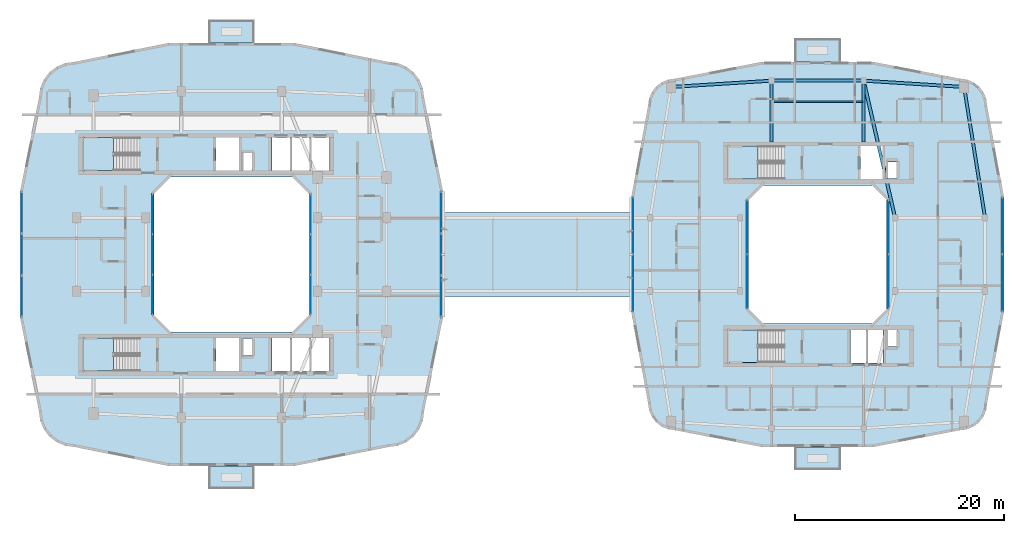
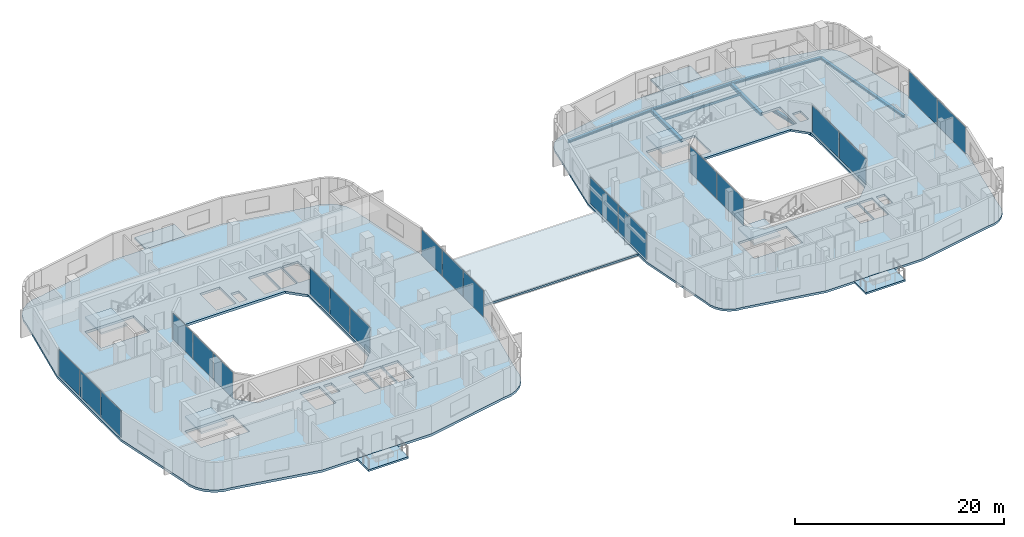
# One storey, part 7 of 22: 20 plates, 11 slabs, 8 beams, 12 elements without a shape of their own.
"""IFC4 building model written with IfcOpenShell, lengths in metres."""

import ifcopenshell
import ifcopenshell.guid

model = None  # the IFC model being written
_history = None  # IfcOwnerHistory: only IFC2X3 demands one
_inside = {}  # id of a spatial element -> (the spatial element, [elements in it])
_under = {}  # id of a project, library or spatial element -> (it, [spatial elements below it])
_declared = {}  # id of a project -> (the project, [libraries it declares])
_typed = {}  # id of a type object -> (the type object, [elements of that type])
_made_of = {}  # id of a material, layer set ... -> (it, [elements and type objects made of it])


def new_model(schema):
    """Start an empty IFC model of exactly this schema.

    Asked for "IFC4X3", IfcOpenShell would pick the latest addendum, in which some entities
    have other attributes; the version numbers below select the first issue.
    IFC2X3 requires an IfcOwnerHistory on every rooted entity: one is made here for all.
    """
    global model, _history
    if schema == "IFC4X3":
        model = ifcopenshell.file(schema_version=(4, 3, 0, 0))
    else:
        model = ifcopenshell.file(schema=schema)
    _inside.clear()
    _under.clear()
    _declared.clear()
    _typed.clear()
    _made_of.clear()
    _history = None
    if model.schema == "IFC2X3":
        org = make("IfcOrganization", Name="unknown")
        user = make(
            "IfcPersonAndOrganization",
            ThePerson=make("IfcPerson", FamilyName="unknown"),
            TheOrganization=org,
        )
        app = make(
            "IfcApplication",
            ApplicationDeveloper=org,
            Version="unknown",
            ApplicationFullName="unknown",
            ApplicationIdentifier="unknown",
        )
        _history = make(
            "IfcOwnerHistory",
            OwningUser=user,
            OwningApplication=app,
            ChangeAction="ADDED",
            CreationDate=0,
        )
    return model


def make(cls, **values):
    """One entity of the class cls with the attributes given. An attribute that is None is left unset."""
    return model.create_entity(
        cls, **{name: value for name, value in values.items() if value is not None}
    )


def rooted(cls, **values):
    """An entity with a GlobalId (a new one), such as an element, a storey or a relation."""
    return make(cls, GlobalId=ifcopenshell.guid.new(), OwnerHistory=_history, **values)


def si_unit(unit_type, name, prefix=None):
    """IfcSIUnit, for example si_unit("LENGTHUNIT", "METRE", prefix="MILLI")."""
    return make("IfcSIUnit", UnitType=unit_type, Prefix=prefix, Name=name)


def derived_unit(unit_type, elements):
    """IfcDerivedUnit: a product of units, each with its exponent."""
    return make(
        "IfcDerivedUnit",
        Elements=[
            make("IfcDerivedUnitElement", Unit=unit, Exponent=power)
            for unit, power in elements
        ],
        UnitType=unit_type,
    )


def assignment(units):
    """IfcUnitAssignment: the units of a project."""
    return None if units is None else make("IfcUnitAssignment", Units=units)


def point(xyz):
    """IfcCartesianPoint."""
    return None if xyz is None else make("IfcCartesianPoint", Coordinates=xyz)


def direction(xyz):
    """IfcDirection."""
    return None if xyz is None else make("IfcDirection", DirectionRatios=xyz)


def frame(location, z_axis=None, x_axis=None):
    """IfcAxis2Placement3D, a coordinate frame: its origin and axes. An axis left out is left unset."""
    return make(
        "IfcAxis2Placement3D",
        Location=point(location),
        Axis=direction(z_axis),
        RefDirection=direction(x_axis),
    )


def frame_2d(location, x_axis=None):
    """IfcAxis2Placement2D, a coordinate frame in the plane: its origin and x axis."""
    return make(
        "IfcAxis2Placement2D", Location=point(location), RefDirection=direction(x_axis)
    )


def origin():
    """The frame at (0, 0, 0) with its axes left unset."""
    return frame((0.0, 0.0, 0.0))


def origin_2d():
    """The frame at (0, 0) in the plane with its x axis left unset."""
    return frame_2d((0.0, 0.0))


def place(relative_to, where):
    """IfcLocalPlacement: puts the frame where relative to a parent placement (None: the world)."""
    return make(
        "IfcLocalPlacement", PlacementRelTo=relative_to, RelativePlacement=where
    )


def context(
    kind, dimensions, precision=None, world=None, true_north=None, identifier=None
):
    """IfcGeometricRepresentationContext, for example the 3D "Model" context."""
    return make(
        "IfcGeometricRepresentationContext",
        ContextIdentifier=identifier,
        ContextType=kind,
        CoordinateSpaceDimension=dimensions,
        Precision=precision,
        WorldCoordinateSystem=world,
        TrueNorth=true_north,
    )


def subcontext(parent, identifier, kind, view, scale=None):
    """IfcGeometricRepresentationSubContext, for example "Body" below "Model"."""
    return make(
        "IfcGeometricRepresentationSubContext",
        ContextIdentifier=identifier,
        ContextType=kind,
        ParentContext=parent,
        TargetScale=scale,
        TargetView=view,
    )


def project(units=None, contexts=None):
    """IfcProject with its units and contexts."""
    return rooted(
        "IfcProject",
        Name="project",
        RepresentationContexts=contexts,
        UnitsInContext=assignment(units),
    )


def spatial(cls, under=None, at=None, **own):
    """A site, building, storey or space (cls), placed at a placement, below another one or the project."""
    s = rooted(cls, ObjectPlacement=at, **own)
    if under is not None:
        _under.setdefault(under.id(), (under, []))[1].append(s)
    return s


def polyline(points):
    """IfcPolyline through the points."""
    return make("IfcPolyline", Points=[point(p) for p in points])


def profile(cls, at=None, kind="AREA", **sizes):
    """A parametric profile (cls). Its sizes go by their IFC names, for example OverallWidth=200.0."""
    return make(cls, ProfileType=kind, Position=at, **sizes)


def rectangle(**sizes):
    """IfcRectangleProfileDef."""
    return profile("IfcRectangleProfileDef", **sizes)


def i_section(**sizes):
    """IfcIShapeProfileDef."""
    return profile("IfcIShapeProfileDef", **sizes)


def outline(outer, holes=None, kind="AREA"):
    """IfcArbitraryClosedProfileDef: a profile drawn as a closed curve; with holes, ...WithVoids."""
    if holes is None:
        return make("IfcArbitraryClosedProfileDef", ProfileType=kind, OuterCurve=outer)
    return make(
        "IfcArbitraryProfileDefWithVoids",
        ProfileType=kind,
        OuterCurve=outer,
        InnerCurves=holes,
    )


def extrude(swept, where, along, depth):
    """IfcExtrudedAreaSolid: the profile swept, set in the frame where, extruded along a direction by depth."""
    return make(
        "IfcExtrudedAreaSolid",
        SweptArea=swept,
        Position=where,
        ExtrudedDirection=direction(along),
        Depth=depth,
    )


def shape(context_of_items, identifier, shape_type, items):
    """IfcShapeRepresentation: the items that make up one representation, for example the "Body"."""
    return make(
        "IfcShapeRepresentation",
        ContextOfItems=context_of_items,
        RepresentationIdentifier=identifier,
        RepresentationType=shape_type,
        Items=items,
    )


def material(Name=None, Category=None):
    """IfcMaterial."""
    return make("IfcMaterial", Name=Name, Category=Category)


def layer(
    of_material, thickness, ventilated=None, Name=None, Category=None, Priority=None
):
    """IfcMaterialLayer: one layer of a wall or slab, of a material (None: an air gap)."""
    return make(
        "IfcMaterialLayer",
        Material=of_material,
        LayerThickness=thickness,
        IsVentilated=ventilated,
        Name=Name,
        Category=Category,
        Priority=Priority,
    )


def layer_set(layers, Name=None):
    """IfcMaterialLayerSet."""
    return make("IfcMaterialLayerSet", MaterialLayers=layers, LayerSetName=Name)


def material_profile(
    of_material, cross_section, Name=None, Category=None, Priority=None
):
    """IfcMaterialProfile: a cross section and its material."""
    return make(
        "IfcMaterialProfile",
        Name=Name,
        Material=of_material,
        Profile=cross_section,
        Priority=Priority,
        Category=Category,
    )


def profile_set(profiles, Name=None, composite=None):
    """IfcMaterialProfileSet."""
    return make(
        "IfcMaterialProfileSet",
        Name=Name,
        MaterialProfiles=profiles,
        CompositeProfile=composite,
    )


def made_of(thing, what):
    """Note that an element or type object is made of a material, layer set ...; save() writes the relation."""
    if what is not None:
        _made_of.setdefault(what.id(), (what, []))[1].append(thing)
    return thing


def type_object(cls, material=None, **own):
    """A type object (cls), such as IfcWallType, which elements share."""
    return made_of(rooted(cls, **own), material)


def element(
    cls,
    number,
    at=None,
    inside=None,
    cuts=None,
    type_object=None,
    material=None,
    context=None,
    identifier="Body",
    shape_type=None,
    held_by="IfcProductDefinitionShape",
    body=None,
    shapes=None,
    **own,
):
    """One element of the class cls, such as IfcWall. Its Tag is "e" and its number.

    at: its placement. inside: the storey or other place that contains it. cuts: it is an
    opening in that element (IfcRelVoidsElement). A single representation is given by context,
    identifier, shape_type and body (its items); several are given by shapes. held_by: the class
    of the entity that holds the representations. save() writes the other relations.
    """
    e = rooted(cls, Tag="e%d" % number, ObjectPlacement=at, **own)
    if body is not None:
        shapes = [shape(context, identifier, shape_type, body)]
    if shapes is not None:
        e.Representation = make(held_by, Representations=shapes)
    if inside is not None:
        _inside.setdefault(inside.id(), (inside, []))[1].append(e)
    if cuts is not None:
        rooted(
            "IfcRelVoidsElement", RelatingBuildingElement=cuts, RelatedOpeningElement=e
        )
    if type_object is not None:
        _typed.setdefault(type_object.id(), (type_object, []))[1].append(e)
    return made_of(e, material)


def aggregate(whole, parts):
    """IfcRelAggregates: a whole, such as a stair, and the parts it consists of."""
    return rooted("IfcRelAggregates", RelatingObject=whole, RelatedObjects=parts)


def save(model, path):
    """Write the relations noted so far, then the file.

    IfcRelAggregates (storeys below a building ...), IfcRelContainedInSpatialStructure (elements
    in a storey), IfcRelDefinesByType, IfcRelAssociatesMaterial and IfcRelDeclares: one each for
    every whole, place, type object, material and project.
    """
    for whole, parts in _under.values():
        aggregate(whole, parts)
    for where, things in _inside.values():
        rooted(
            "IfcRelContainedInSpatialStructure",
            RelatedElements=things,
            RelatingStructure=where,
        )
    for kind, things in _typed.values():
        rooted("IfcRelDefinesByType", RelatedObjects=things, RelatingType=kind)
    for what, things in _made_of.values():
        rooted("IfcRelAssociatesMaterial", RelatedObjects=things, RelatingMaterial=what)
    for by, libraries in _declared.values():
        rooted("IfcRelDeclares", RelatingContext=by, RelatedDefinitions=libraries)
    model.write(path)


model = new_model("IFC4")

# Units and contexts
model_context = context("Model", 3, precision=1e-05, world=origin(), true_north=direction((0.0, 1.0)))
body_context = subcontext(model_context, "Body", "Model", "MODEL_VIEW")
ifc_project = project(units=[si_unit("LENGTHUNIT", "METRE"), si_unit("AREAUNIT", "SQUARE_METRE"), si_unit("VOLUMEUNIT", "CUBIC_METRE"), si_unit("PLANEANGLEUNIT", "RADIAN"), si_unit("MASSUNIT", "GRAM", prefix="KILO"), derived_unit("THERMALTRANSMITTANCEUNIT", [(si_unit("POWERUNIT", "WATT"), 1), (si_unit("LENGTHUNIT", "METRE"), -2), (si_unit("THERMODYNAMICTEMPERATUREUNIT", "KELVIN"), -1)])], contexts=[model_context])

# Site, building, storey
site_placement = place(None, origin())
site = spatial("IfcSite", under=ifc_project, at=site_placement, CompositionType="ELEMENT")
building_placement = place(site_placement, origin())
building = spatial("IfcBuilding", under=site, at=building_placement, Name="Kivonza Crest Hotel", CompositionType="ELEMENT")
storey_placement = place(building_placement, frame((0.0, 0.0, 124.0)))
storey = spatial("IfcBuildingStorey", under=building, at=storey_placement, Name="L33", CompositionType="ELEMENT", Elevation=124.0)

# Beams
ifc_material_1 = material(Name="Steel S355", Category="steel")
ifc_material_profile_1 = material_profile(ifc_material_1, i_section(OverallWidth=0.280029296875, OverallDepth=0.280029296875, WebThickness=0.010498046875, FlangeThickness=0.01806640625, FilletRadius=0.02392578125, at=origin_2d()), Name="HEB 280")
ifc_profile_set_1 = profile_set([ifc_material_profile_1], Name="Steel S355")
beam_type_1 = type_object("IfcBeamType", Name="BM-HEB280", PredefinedType="SPANDREL", material=ifc_profile_set_1)
beam_1_placement = place(storey_placement, frame((93.0, 28.5, -0.389892578125), z_axis=(-0.157990501107, 0.987440631917, 0.0), x_axis=(-0.987440631917, -0.157990501107, 0.0)))
element("IfcBeam", 1, at=beam_1_placement, inside=storey, type_object=beam_type_1, Name="Companion Tower T2 L33 perimeter spandrel E2-NE", PredefinedType="SPANDREL", context=body_context, shape_type="SweptSolid", body=[
    extrude(i_section(OverallWidth=0.280029296875, OverallDepth=0.280029296875, WebThickness=0.010498046875, FlangeThickness=0.01806640625, FilletRadius=0.02392578125, at=origin_2d()), origin(), (0.0, 0.0, 1.0), 12.658935546875),
])
beam_2_placement = place(storey_placement, frame((91.0, 41.0, -0.389892578125), z_axis=(-0.998051985873, 0.062387767186, 0.0), x_axis=(-0.062387767186, -0.998051985873, 0.0)))
element("IfcBeam", 2, at=beam_2_placement, inside=storey, type_object=beam_type_1, Name="Companion Tower T2 L33 perimeter spandrel NE-N2", PredefinedType="SPANDREL", context=body_context, shape_type="SweptSolid", body=[
    extrude(i_section(OverallWidth=0.280029296875, OverallDepth=0.280029296875, WebThickness=0.010498046875, FlangeThickness=0.01806640625, FilletRadius=0.02392578125, at=origin_2d()), origin(), (0.0, 0.0, 1.0), 9.618896484375),
])
beam_3_placement = place(storey_placement, frame((81.39990234375, 41.60009765625, -0.389892578125), z_axis=(-1.0, 0.0, 0.0), x_axis=(0.0, -1.0, 0.0)))
element("IfcBeam", 3, at=beam_3_placement, inside=storey, type_object=beam_type_1, Name="Companion Tower T2 L33 perimeter spandrel N2-N1", PredefinedType="SPANDREL", context=body_context, shape_type="SweptSolid", body=[
    extrude(i_section(OverallWidth=0.280029296875, OverallDepth=0.280029296875, WebThickness=0.010498046875, FlangeThickness=0.01806640625, FilletRadius=0.02392578125, at=origin_2d()), origin(), (0.0, 0.0, 1.0), 8.7998046875),
])
beam_4_placement = place(storey_placement, frame((72.60009765625, 41.60009765625, -0.389892578125), z_axis=(-0.998051985873, -0.062387767186, 0.0), x_axis=(0.062387767186, -0.998051985873, 0.0)))
element("IfcBeam", 4, at=beam_4_placement, inside=storey, type_object=beam_type_1, Name="Companion Tower T2 L33 perimeter spandrel N1-NW", PredefinedType="SPANDREL", context=body_context, shape_type="SweptSolid", body=[
    extrude(i_section(OverallWidth=0.280029296875, OverallDepth=0.280029296875, WebThickness=0.010498046875, FlangeThickness=0.01806640625, FilletRadius=0.02392578125, at=origin_2d()), origin(), (0.0, 0.0, 1.0), 9.618896484375),
])
ifc_material_profile_2 = material_profile(ifc_material_1, i_section(OverallWidth=0.300048828125, OverallDepth=0.39990234375, WebThickness=0.013427734375, FlangeThickness=0.02392578125, FilletRadius=0.027099609375, at=origin_2d()), Name="HEB 400")
ifc_profile_set_2 = profile_set([ifc_material_profile_2], Name="Steel S355")
beam_type_2 = type_object("IfcBeamType", Name="BM-HEB400", PredefinedType="BEAM", material=ifc_profile_set_2)
beam_5_placement = place(storey_placement, frame((84.39990234375, 28.5, -0.449951171875), z_axis=(-0.223227287589, 0.974766422317, 0.0), x_axis=(-0.974766422317, -0.223227287589, 0.0)))
element("IfcBeam", 5, at=beam_5_placement, inside=storey, type_object=beam_type_2, Name="Companion Tower T2 L33 girder WR2-N2", PredefinedType="BEAM", context=body_context, shape_type="SweptSolid", body=[
    extrude(i_section(OverallWidth=0.300048828125, OverallDepth=0.39990234375, WebThickness=0.013427734375, FlangeThickness=0.02392578125, FilletRadius=0.027099609375, at=origin_2d()), origin(), (0.0, 0.0, 1.0), 13.439208984375),
])
for number, where, z_axis, x_axis, name in (
    (6, (72.60009765625, 41.60009765625, -0.449951171875), (0.0, -1.0, 0.0), (1.0, 0.0, 0.0), "Companion T2 L33 radial core girder RN1"),
    (7, (81.39990234375, 41.60009765625, -0.449951171875), (0.0, -1.0, 0.0), (1.0, 0.0, 0.0), "Companion T2 L33 radial core girder RN2"),
):
    element("IfcBeam", number, at=place(storey_placement, frame(where, z_axis=z_axis, x_axis=x_axis)), inside=storey, type_object=beam_type_2, Name=name, PredefinedType="BEAM", context=body_context, shape_type="SweptSolid", body=[
        extrude(i_section(OverallWidth=0.300048828125, OverallDepth=0.39990234375, WebThickness=0.013427734375, FlangeThickness=0.02392578125, FilletRadius=0.027099609375, at=origin_2d()), origin(), (0.0, 0.0, 1.0), 5.85009765625),
    ])
ifc_material_profile_3 = material_profile(ifc_material_1, i_section(OverallWidth=0.135009765625, OverallDepth=0.27001953125, WebThickness=0.006591796875, FlangeThickness=0.01025390625, FilletRadius=0.014892578125, at=origin_2d()), Name="IPE 270")
ifc_profile_set_3 = profile_set([ifc_material_profile_3], Name="Steel S355")
beam_type_3 = type_object("IfcBeamType", Name="BM-IPE270", PredefinedType="JOIST", material=ifc_profile_set_3)
beam_6_placement = place(storey_placement, frame((72.679931640625, 39.60009765625, -0.385009765625), z_axis=(1.0, 0.0, 0.0), x_axis=(0.0, 1.0, 0.0)))
element("IfcBeam", 8, at=beam_6_placement, inside=storey, type_object=beam_type_3, Name="Companion Tower T2 L33 North floor joist", PredefinedType="JOIST", context=body_context, shape_type="SweptSolid", body=[
    extrude(i_section(OverallWidth=0.135009765625, OverallDepth=0.27001953125, WebThickness=0.006591796875, FlangeThickness=0.01025390625, FilletRadius=0.014892578125, at=origin_2d()), origin(), (0.0, 0.0, 1.0), 8.64013671875),
])

# Curtain wall, plates
ifc_material_2 = material(Name="Anodised bronze aluminium and low-E double glazing", Category="aluminium")
ifc_layer_1 = layer(ifc_material_2, 0.159912109375)
ifc_layer_set_1 = layer_set([ifc_layer_1], Name="Anodised bronze aluminium and low-E double glazing")
curtain_wall_type_1 = type_object("IfcCurtainWallType", Name="CW-SYS-5", PredefinedType="NOTDEFINED", material=ifc_layer_set_1)
curtain_wall_1_placement = place(storey_placement, origin())
curtain_wall_1 = element("IfcCurtainWall", 9, at=curtain_wall_1_placement, inside=storey, type_object=curtain_wall_type_1, Name="L33 unitised curtain wall CW-WELL-T1-L33-3", PredefinedType="NOTDEFINED")
ifc_material_3 = material(Name="Solar-control low-E double glazing", Category="glass")
ifc_layer_2 = layer(ifc_material_3, 0.028076171875)
ifc_layer_set_2 = layer_set([ifc_layer_2], Name="Solar-control low-E double glazing")
plate_type_1 = type_object("IfcPlateType", Name="CW-PNL-28", PredefinedType="CURTAIN_PANEL", material=ifc_layer_set_2)
plate_1_placement = place(storey_placement, frame((28.56005859375, 21.149658203125, 0.06494140625), z_axis=(0.0, 0.0, 1.0), x_axis=(0.0, 1.0, 0.0)))
plate_1 = element("IfcPlate", 10, at=plate_1_placement, type_object=plate_type_1, Name="CW-5 panel 1.1", PredefinedType="CURTAIN_PANEL", context=body_context, shape_type="SweptSolid", body=[
    extrude(rectangle(XDim=3.769287109375, YDim=0.028076171875, at=origin_2d()), origin(), (0.0, 0.0, 1.0), 3.090087890625),
])
plate_2_placement = place(storey_placement, frame((28.56005859375, 25.0, 0.06494140625), z_axis=(0.0, 0.0, 1.0), x_axis=(0.0, 1.0, 0.0)))
plate_2 = element("IfcPlate", 11, at=plate_2_placement, type_object=plate_type_1, Name="CW-5 panel 2.1", PredefinedType="CURTAIN_PANEL", context=body_context, shape_type="SweptSolid", body=[
    extrude(rectangle(XDim=3.8017578125, YDim=0.028076171875, at=origin_2d()), origin(), (0.0, 0.0, 1.0), 3.090087890625),
])
plate_3_placement = place(storey_placement, frame((28.56005859375, 28.850341796875, 0.06494140625), z_axis=(0.0, 0.0, 1.0), x_axis=(0.0, 1.0, 0.0)))
plate_3 = element("IfcPlate", 12, at=plate_3_placement, type_object=plate_type_1, Name="CW-5 panel 3.1", PredefinedType="CURTAIN_PANEL", context=body_context, shape_type="SweptSolid", body=[
    extrude(rectangle(XDim=3.769287109375, YDim=0.028076171875, at=origin_2d()), origin(), (0.0, 0.0, 1.0), 3.090087890625),
])
aggregate(curtain_wall_1, [plate_1, plate_2, plate_3])

curtain_wall_2_placement = place(storey_placement, origin())
curtain_wall_2 = element("IfcCurtainWall", 13, at=curtain_wall_2_placement, inside=storey, type_object=curtain_wall_type_1, Name="L33 unitised curtain wall CW-WELL-T1-L33-7", PredefinedType="NOTDEFINED")
plate_4_placement = place(storey_placement, frame((13.43994140625, 28.850341796875, 0.06494140625), z_axis=(0.0, 0.0, 1.0), x_axis=(0.0, -1.0, 0.0)))
plate_4 = element("IfcPlate", 14, at=plate_4_placement, type_object=plate_type_1, Name="CW-5 panel 1.1", PredefinedType="CURTAIN_PANEL", context=body_context, shape_type="SweptSolid", body=[
    extrude(rectangle(XDim=3.769287109375, YDim=0.028076171875, at=origin_2d()), origin(), (0.0, 0.0, 1.0), 3.090087890625),
])
plate_5_placement = place(storey_placement, frame((13.43994140625, 25.0, 0.06494140625), z_axis=(0.0, 0.0, 1.0), x_axis=(0.0, -1.0, 0.0)))
plate_5 = element("IfcPlate", 15, at=plate_5_placement, type_object=plate_type_1, Name="CW-5 panel 2.1", PredefinedType="CURTAIN_PANEL", context=body_context, shape_type="SweptSolid", body=[
    extrude(rectangle(XDim=3.8017578125, YDim=0.028076171875, at=origin_2d()), origin(), (0.0, 0.0, 1.0), 3.090087890625),
])
plate_6_placement = place(storey_placement, frame((13.43994140625, 21.149658203125, 0.06494140625), z_axis=(0.0, 0.0, 1.0), x_axis=(0.0, -1.0, 0.0)))
plate_6 = element("IfcPlate", 16, at=plate_6_placement, type_object=plate_type_1, Name="CW-5 panel 3.1", PredefinedType="CURTAIN_PANEL", context=body_context, shape_type="SweptSolid", body=[
    extrude(rectangle(XDim=3.769287109375, YDim=0.028076171875, at=origin_2d()), origin(), (0.0, 0.0, 1.0), 3.090087890625),
])
aggregate(curtain_wall_2, [plate_4, plate_5, plate_6])

ifc_layer_3 = layer(ifc_material_2, 0.179931640625)
ifc_layer_set_3 = layer_set([ifc_layer_3], Name="Anodised bronze aluminium and low-E double glazing")
curtain_wall_type_2 = type_object("IfcCurtainWallType", Name="CW-SYS-4", PredefinedType="NOTDEFINED", material=ifc_layer_set_3)
curtain_wall_3_placement = place(storey_placement, origin())
curtain_wall_3 = element("IfcCurtainWall", 17, at=curtain_wall_3_placement, inside=storey, type_object=curtain_wall_type_2, Name="L33 unitised curtain wall CW-T2-L33-17", PredefinedType="NOTDEFINED")
plate_7_placement = place(storey_placement, frame((94.639892578125, 22.2763671875, 0.06494140625), z_axis=(0.0, 0.0, 1.0), x_axis=(0.0, 1.0, 0.0)))
plate_7 = element("IfcPlate", 18, at=plate_7_placement, type_object=plate_type_1, Name="CW-4 panel 1.1", PredefinedType="CURTAIN_PANEL", context=body_context, shape_type="SweptSolid", body=[
    extrude(rectangle(XDim=5.382568359375, YDim=0.028076171875, at=origin_2d()), origin(), (0.0, 0.0, 1.0), 3.1201171875),
])
plate_8_placement = place(storey_placement, frame((94.639892578125, 27.7236328125, 0.06494140625), z_axis=(0.0, 0.0, 1.0), x_axis=(0.0, 1.0, 0.0)))
plate_8 = element("IfcPlate", 19, at=plate_8_placement, type_object=plate_type_1, Name="CW-4 panel 2.1", PredefinedType="CURTAIN_PANEL", context=body_context, shape_type="SweptSolid", body=[
    extrude(rectangle(XDim=5.382568359375, YDim=0.028076171875, at=origin_2d()), origin(), (0.0, 0.0, 1.0), 3.1201171875),
])
aggregate(curtain_wall_3, [plate_7, plate_8])

curtain_wall_4_placement = place(storey_placement, origin())
curtain_wall_4 = element("IfcCurtainWall", 20, at=curtain_wall_4_placement, inside=storey, type_object=curtain_wall_type_2, Name="L33 unitised curtain wall CW-T2-L33-35", PredefinedType="NOTDEFINED")
plate_9_placement = place(storey_placement, frame((59.360107421875, 27.7236328125, 0.06494140625), z_axis=(0.0, 0.0, 1.0), x_axis=(0.0, -1.0, 0.0)))
plate_9 = element("IfcPlate", 21, at=plate_9_placement, type_object=plate_type_1, Name="CW-4 panel 1.1", PredefinedType="CURTAIN_PANEL", context=body_context, shape_type="SweptSolid", body=[
    extrude(rectangle(XDim=5.382568359375, YDim=0.028076171875, at=origin_2d()), origin(), (0.0, 0.0, 1.0), 3.1201171875),
])
plate_10_placement = place(storey_placement, frame((59.360107421875, 22.2763671875, 0.06494140625), z_axis=(0.0, 0.0, 1.0), x_axis=(0.0, -1.0, 0.0)))
plate_10 = element("IfcPlate", 22, at=plate_10_placement, type_object=plate_type_1, Name="CW-4 panel 2.1", PredefinedType="CURTAIN_PANEL", context=body_context, shape_type="SweptSolid", body=[
    extrude(rectangle(XDim=5.382568359375, YDim=0.028076171875, at=origin_2d()), origin(), (0.0, 0.0, 1.0), 3.1201171875),
])
aggregate(curtain_wall_4, [plate_9, plate_10])

curtain_wall_5_placement = place(storey_placement, origin())
curtain_wall_5 = element("IfcCurtainWall", 23, at=curtain_wall_5_placement, inside=storey, type_object=curtain_wall_type_1, Name="L33 unitised curtain wall CW-WELL-T2-L33-3", PredefinedType="NOTDEFINED")
plate_11_placement = place(storey_placement, frame((83.760009765625, 22.416259765625, 0.06494140625), z_axis=(0.0, 0.0, 1.0), x_axis=(0.0, 1.0, 0.0)))
plate_11 = element("IfcPlate", 24, at=plate_11_placement, type_object=plate_type_1, Name="CW-5 panel 1.1", PredefinedType="CURTAIN_PANEL", context=body_context, shape_type="SweptSolid", body=[
    extrude(rectangle(XDim=5.1025390625, YDim=0.028076171875, at=origin_2d()), origin(), (0.0, 0.0, 1.0), 3.1201171875),
])
plate_12_placement = place(storey_placement, frame((83.760009765625, 27.583740234375, 0.06494140625), z_axis=(0.0, 0.0, 1.0), x_axis=(0.0, 1.0, 0.0)))
plate_12 = element("IfcPlate", 25, at=plate_12_placement, type_object=plate_type_1, Name="CW-5 panel 2.1", PredefinedType="CURTAIN_PANEL", context=body_context, shape_type="SweptSolid", body=[
    extrude(rectangle(XDim=5.1025390625, YDim=0.028076171875, at=origin_2d()), origin(), (0.0, 0.0, 1.0), 3.1201171875),
])
aggregate(curtain_wall_5, [plate_11, plate_12])

curtain_wall_6_placement = place(storey_placement, origin())
curtain_wall_6 = element("IfcCurtainWall", 26, at=curtain_wall_6_placement, inside=storey, type_object=curtain_wall_type_1, Name="L33 unitised curtain wall CW-WELL-T2-L33-7", PredefinedType="NOTDEFINED")
plate_13_placement = place(storey_placement, frame((70.239990234375, 27.583740234375, 0.06494140625), z_axis=(0.0, 0.0, 1.0), x_axis=(0.0, -1.0, 0.0)))
plate_13 = element("IfcPlate", 27, at=plate_13_placement, type_object=plate_type_1, Name="CW-5 panel 1.1", PredefinedType="CURTAIN_PANEL", context=body_context, shape_type="SweptSolid", body=[
    extrude(rectangle(XDim=5.1025390625, YDim=0.028076171875, at=origin_2d()), origin(), (0.0, 0.0, 1.0), 3.1201171875),
])
plate_14_placement = place(storey_placement, frame((70.239990234375, 22.416259765625, 0.06494140625), z_axis=(0.0, 0.0, 1.0), x_axis=(0.0, -1.0, 0.0)))
plate_14 = element("IfcPlate", 28, at=plate_14_placement, type_object=plate_type_1, Name="CW-5 panel 2.1", PredefinedType="CURTAIN_PANEL", context=body_context, shape_type="SweptSolid", body=[
    extrude(rectangle(XDim=5.1025390625, YDim=0.028076171875, at=origin_2d()), origin(), (0.0, 0.0, 1.0), 3.1201171875),
])
aggregate(curtain_wall_6, [plate_13, plate_14])

ifc_layer_4 = layer(ifc_material_2, 0.179931640625)
ifc_layer_set_4 = layer_set([ifc_layer_4], Name="Anodised bronze aluminium and low-E double glazing")
curtain_wall_type_3 = type_object("IfcCurtainWallType", Name="CW-SYS-3", PredefinedType="NOTDEFINED", material=ifc_layer_set_4)
curtain_wall_7_placement = place(storey_placement, origin())
curtain_wall_7 = element("IfcCurtainWall", 29, at=curtain_wall_7_placement, inside=storey, type_object=curtain_wall_type_3, Name="L33 unitised curtain wall CW-T1-L33-17", PredefinedType="NOTDEFINED")
ifc_material_4 = material(Name="Acoustic triple-laminated low-E glazing", Category="glass")
ifc_layer_5 = layer(ifc_material_4, 0.035888671875)
ifc_layer_set_5 = layer_set([ifc_layer_5], Name="Acoustic triple-laminated low-E glazing")
plate_type_2 = type_object("IfcPlateType", Name="CW-PNL-36", PredefinedType="CURTAIN_PANEL", material=ifc_layer_set_5)
plate_15_placement = place(storey_placement, frame((41.0400390625, 21.00537109375, 0.0751953125), z_axis=(0.0, 0.0, 1.0), x_axis=(0.0, 1.0, 0.0)))
plate_15 = element("IfcPlate", 30, at=plate_15_placement, type_object=plate_type_2, Name="CW-3 panel 1.1", PredefinedType="CURTAIN_PANEL", context=body_context, shape_type="SweptSolid", body=[
    extrude(rectangle(XDim=3.90087890625, YDim=0.035888671875, at=origin_2d()), origin(), (0.0, 0.0, 1.0), 3.070068359375),
])
plate_16_placement = place(storey_placement, frame((41.0400390625, 25.0, 0.0751953125), z_axis=(0.0, 0.0, 1.0), x_axis=(0.0, 1.0, 0.0)))
plate_16 = element("IfcPlate", 31, at=plate_16_placement, type_object=plate_type_2, Name="CW-3 panel 2.1", PredefinedType="CURTAIN_PANEL", context=body_context, shape_type="SweptSolid", body=[
    extrude(rectangle(XDim=3.938232421875, YDim=0.035888671875, at=origin_2d()), origin(), (0.0, 0.0, 1.0), 3.070068359375),
])
plate_17_placement = place(storey_placement, frame((41.0400390625, 28.99462890625, 0.0751953125), z_axis=(0.0, 0.0, 1.0), x_axis=(0.0, 1.0, 0.0)))
plate_17 = element("IfcPlate", 32, at=plate_17_placement, type_object=plate_type_2, Name="CW-3 panel 3.1", PredefinedType="CURTAIN_PANEL", context=body_context, shape_type="SweptSolid", body=[
    extrude(rectangle(XDim=3.90087890625, YDim=0.035888671875, at=origin_2d()), origin(), (0.0, 0.0, 1.0), 3.070068359375),
])
aggregate(curtain_wall_7, [plate_15, plate_16, plate_17])

curtain_wall_8_placement = place(storey_placement, origin())
curtain_wall_8 = element("IfcCurtainWall", 33, at=curtain_wall_8_placement, inside=storey, type_object=curtain_wall_type_3, Name="L33 unitised curtain wall CW-T1-L33-35", PredefinedType="NOTDEFINED")
plate_18_placement = place(storey_placement, frame((0.9599609375, 28.99462890625, 0.0751953125), z_axis=(0.0, 0.0, 1.0), x_axis=(0.0, -1.0, 0.0)))
plate_18 = element("IfcPlate", 34, at=plate_18_placement, type_object=plate_type_2, Name="CW-3 panel 1.1", PredefinedType="CURTAIN_PANEL", context=body_context, shape_type="SweptSolid", body=[
    extrude(rectangle(XDim=3.90087890625, YDim=0.035888671875, at=origin_2d()), origin(), (0.0, 0.0, 1.0), 3.070068359375),
])
plate_19_placement = place(storey_placement, frame((0.9599609375, 25.0, 0.0751953125), z_axis=(0.0, 0.0, 1.0), x_axis=(0.0, -1.0, 0.0)))
plate_19 = element("IfcPlate", 35, at=plate_19_placement, type_object=plate_type_2, Name="CW-3 panel 2.1", PredefinedType="CURTAIN_PANEL", context=body_context, shape_type="SweptSolid", body=[
    extrude(rectangle(XDim=3.938232421875, YDim=0.035888671875, at=origin_2d()), origin(), (0.0, 0.0, 1.0), 3.070068359375),
])
plate_20_placement = place(storey_placement, frame((0.9599609375, 21.00537109375, 0.0751953125), z_axis=(0.0, 0.0, 1.0), x_axis=(0.0, -1.0, 0.0)))
plate_20 = element("IfcPlate", 36, at=plate_20_placement, type_object=plate_type_2, Name="CW-3 panel 3.1", PredefinedType="CURTAIN_PANEL", context=body_context, shape_type="SweptSolid", body=[
    extrude(rectangle(XDim=3.90087890625, YDim=0.035888671875, at=origin_2d()), origin(), (0.0, 0.0, 1.0), 3.070068359375),
])
aggregate(curtain_wall_8, [plate_18, plate_19, plate_20])

# Slab
ifc_material_5 = material(Name="Concrete C40/50", Category="concrete")
ifc_layer_6 = layer(ifc_material_5, 0.280029296875)
ifc_layer_set_6 = layer_set([ifc_layer_6], Name="Concrete C40/50")
slab_type_1 = type_object("IfcSlabType", Name="SL-HTL-280", PredefinedType="FLOOR", material=ifc_layer_set_6)
slab_1_placement = place(storey_placement, frame((0.0, 0.0, -0.280029296875)))
element("IfcSlab", 37, at=slab_1_placement, inside=storey, type_object=slab_type_1, Name="Tower T1 L33 floor slab", PredefinedType="FLOOR", context=body_context, shape_type="SweptSolid", body=[
    extrude(outline(polyline([(2.60009765625, 10.0), (2.716064453125, 9.1201171875), (3.055908203125, 8.300048828125), (3.595947265625, 7.595947265625), (4.300048828125, 7.055908203125), (5.1201171875, 6.716064453125), (6.0, 6.60009765625), (14.93994140625, 4.800048828125), (27.06005859375, 4.800048828125), (36.0, 6.60009765625), (36.8798828125, 6.716064453125), (37.699951171875, 7.055908203125), (38.404052734375, 7.595947265625), (38.944091796875, 8.300048828125), (39.283935546875, 9.1201171875), (39.39990234375, 10.0), (41.199951171875, 18.93994140625), (41.199951171875, 31.06005859375), (39.39990234375, 40.0), (39.283935546875, 40.8798828125), (38.944091796875, 41.699951171875), (38.404052734375, 42.404052734375), (37.699951171875, 42.944091796875), (36.8798828125, 43.283935546875), (36.0, 43.39990234375), (27.06005859375, 45.199951171875), (14.93994140625, 45.199951171875), (6.0, 43.39990234375), (5.1201171875, 43.283935546875), (4.300048828125, 42.944091796875), (3.595947265625, 42.404052734375), (3.055908203125, 41.699951171875), (2.716064453125, 40.8798828125), (2.60009765625, 40.0), (0.800048828125, 31.06005859375), (0.800048828125, 18.93994140625), (2.60009765625, 10.0)]), holes=[polyline([(15.199951171875, 17.60009765625), (26.800048828125, 17.60009765625), (28.39990234375, 19.199951171875), (28.39990234375, 30.800048828125), (26.800048828125, 32.39990234375), (15.199951171875, 32.39990234375), (13.60009765625, 30.800048828125), (13.60009765625, 19.199951171875), (15.199951171875, 17.60009765625)]), polyline([(6.800048828125, 33.02001953125), (12.159912109375, 33.02001953125), (12.159912109375, 36.159912109375), (6.800048828125, 36.159912109375), (6.800048828125, 33.02001953125)]), polyline([(6.800048828125, 13.860107421875), (12.159912109375, 13.860107421875), (12.159912109375, 17.0), (6.800048828125, 17.0), (6.800048828125, 13.860107421875)]), polyline([(22.080078125, 33.0400390625), (22.969970703125, 33.0400390625), (22.969970703125, 34.679931640625), (22.080078125, 34.679931640625), (22.080078125, 33.0400390625)]), polyline([(22.080078125, 15.320068359375), (22.969970703125, 15.320068359375), (22.969970703125, 16.9599609375), (22.080078125, 16.9599609375), (22.080078125, 15.320068359375)]), polyline([(19.5, 33.0), (21.699951171875, 33.0), (21.699951171875, 36.159912109375), (19.5, 36.159912109375), (19.5, 33.0)]), polyline([(24.860107421875, 33.0), (26.60693359375, 33.0), (26.60693359375, 36.159912109375), (24.860107421875, 36.159912109375), (24.860107421875, 33.0)]), polyline([(26.72705078125, 33.0), (28.472900390625, 33.0), (28.472900390625, 36.159912109375), (26.72705078125, 36.159912109375), (26.72705078125, 33.0)]), polyline([(28.593017578125, 33.0), (30.340087890625, 33.0), (30.340087890625, 36.159912109375), (28.593017578125, 36.159912109375), (28.593017578125, 33.0)]), polyline([(19.5, 13.840087890625), (21.699951171875, 13.840087890625), (21.699951171875, 17.0), (19.5, 17.0), (19.5, 13.840087890625)]), polyline([(24.860107421875, 13.840087890625), (26.60693359375, 13.840087890625), (26.60693359375, 17.0), (24.860107421875, 17.0), (24.860107421875, 13.840087890625)]), polyline([(26.72705078125, 13.840087890625), (28.472900390625, 13.840087890625), (28.472900390625, 17.0), (26.72705078125, 17.0), (26.72705078125, 13.840087890625)]), polyline([(28.593017578125, 13.840087890625), (30.340087890625, 13.840087890625), (30.340087890625, 17.0), (28.593017578125, 17.0), (28.593017578125, 13.840087890625)])]), origin(), (0.0, 0.0, 1.0), 0.280029296875),
])

# Stair, slab
stair_type = type_object("IfcStairType", Name="ST-DL-20R", PredefinedType="HALF_TURN_STAIR", material=ifc_material_5)
stair_1_placement = place(storey_placement, origin())
stair_1 = element("IfcStair", 38, at=stair_1_placement, inside=storey, type_object=stair_type, Name="L33 Protected Exit Stair ST-T1-N", PredefinedType="HALF_TURN_STAIR")
ifc_layer_7 = layer(ifc_material_5, 0.199951171875)
ifc_layer_set_7 = layer_set([ifc_layer_7], Name="Concrete C40/50")
slab_type_2 = type_object("IfcSlabType", Name="SL-LAND-200", PredefinedType="LANDING", material=ifc_layer_set_7)
slab_2_placement = place(storey_placement, frame((0.0, 0.0, 1.550048828125)))
slab_2 = element("IfcSlab", 39, at=slab_2_placement, type_object=slab_type_2, Name="ST-T1-N landing 1", PredefinedType="LANDING", context=body_context, shape_type="SweptSolid", body=[
    extrude(outline(polyline([(9.719970703125, 36.159912109375), (6.800048828125, 36.159912109375), (6.800048828125, 33.02001953125), (9.719970703125, 33.02001953125), (9.719970703125, 36.159912109375)])), origin(), (0.0, 0.0, 1.0), 0.199951171875),
])
aggregate(stair_1, [slab_2])

stair_2_placement = place(storey_placement, origin())
stair_2 = element("IfcStair", 40, at=stair_2_placement, inside=storey, type_object=stair_type, Name="L33 Protected Exit Stair ST-T1-S", PredefinedType="HALF_TURN_STAIR")
slab_3_placement = place(storey_placement, frame((0.0, 0.0, 1.550048828125)))
slab_3 = element("IfcSlab", 41, at=slab_3_placement, type_object=slab_type_2, Name="ST-T1-S landing 1", PredefinedType="LANDING", context=body_context, shape_type="SweptSolid", body=[
    extrude(outline(polyline([(9.719970703125, 17.0), (6.800048828125, 17.0), (6.800048828125, 13.860107421875), (9.719970703125, 13.860107421875), (9.719970703125, 17.0)])), origin(), (0.0, 0.0, 1.0), 0.199951171875),
])
aggregate(stair_2, [slab_3])

stair_3_placement = place(storey_placement, origin())
stair_3 = element("IfcStair", 42, at=stair_3_placement, inside=storey, type_object=stair_type, Name="L33 Protected Exit Stair ST-T2-N", PredefinedType="HALF_TURN_STAIR")
slab_4_placement = place(storey_placement, frame((0.0, 0.0, 1.550048828125)))
slab_4 = element("IfcSlab", 43, at=slab_4_placement, type_object=slab_type_2, Name="ST-T2-N landing 1", PredefinedType="LANDING", context=body_context, shape_type="SweptSolid", body=[
    extrude(outline(polyline([(71.320068359375, 35.360107421875), (68.39990234375, 35.360107421875), (68.39990234375, 32.219970703125), (71.320068359375, 32.219970703125), (71.320068359375, 35.360107421875)])), origin(), (0.0, 0.0, 1.0), 0.199951171875),
])
aggregate(stair_3, [slab_4])

stair_4_placement = place(storey_placement, origin())
stair_4 = element("IfcStair", 44, at=stair_4_placement, inside=storey, type_object=stair_type, Name="L33 Protected Exit Stair ST-T2-S", PredefinedType="HALF_TURN_STAIR")
slab_5_placement = place(storey_placement, frame((0.0, 0.0, 1.550048828125)))
slab_5 = element("IfcSlab", 45, at=slab_5_placement, type_object=slab_type_2, Name="ST-T2-S landing 1", PredefinedType="LANDING", context=body_context, shape_type="SweptSolid", body=[
    extrude(outline(polyline([(71.320068359375, 17.800048828125), (68.39990234375, 17.800048828125), (68.39990234375, 14.659912109375), (71.320068359375, 14.659912109375), (71.320068359375, 17.800048828125)])), origin(), (0.0, 0.0, 1.0), 0.199951171875),
])
aggregate(stair_4, [slab_5])

# Slabs
ifc_layer_8 = layer(ifc_material_5, 0.2099609375)
ifc_layer_set_8 = layer_set([ifc_layer_8], Name="Concrete C40/50")
slab_type_3 = type_object("IfcSlabType", Name="SL-PAV-210", PredefinedType="ROOF", material=ifc_layer_set_8)
slab_6_placement = place(storey_placement, frame((0.0, 0.0, -0.280029296875)))
element("IfcSlab", 46, at=slab_6_placement, inside=storey, type_object=slab_type_3, Name="Skybridge BR1 roof slab", PredefinedType="ROOF", context=body_context, shape_type="SweptSolid", body=[
    extrude(outline(polyline([(41.199951171875, 21.0), (59.179931640625, 21.0), (59.179931640625, 29.0), (41.199951171875, 29.0), (41.199951171875, 21.0)])), origin(), (0.0, 0.0, 1.0), 0.2099609375),
])
ifc_layer_9 = layer(ifc_material_5, 0.25)
ifc_layer_set_9 = layer_set([ifc_layer_9], Name="Concrete C40/50")
slab_type_4 = type_object("IfcSlabType", Name="SL-RES-250", PredefinedType="FLOOR", material=ifc_layer_set_9)
slab_7_placement = place(storey_placement, frame((0.0, 0.0, -0.25)))
element("IfcSlab", 47, at=slab_7_placement, inside=storey, type_object=slab_type_4, Name="Companion Tower T2 L33 floor slab", PredefinedType="FLOOR", context=body_context, shape_type="SweptSolid", body=[
    extrude(outline(polyline([(60.800048828125, 10.800048828125), (60.888916015625, 10.126953125), (61.14794921875, 9.5), (61.56201171875, 8.9619140625), (62.10009765625, 8.548095703125), (62.72705078125, 8.2890625), (63.39990234375, 8.199951171875), (71.659912109375, 6.60009765625), (82.340087890625, 6.60009765625), (90.60009765625, 8.199951171875), (91.27294921875, 8.2890625), (91.89990234375, 8.548095703125), (92.43798828125, 8.9619140625), (92.85205078125, 9.5), (93.111083984375, 10.126953125), (93.199951171875, 10.800048828125), (94.800048828125, 19.47998046875), (94.800048828125, 30.52001953125), (93.199951171875, 39.199951171875), (93.111083984375, 39.873046875), (92.85205078125, 40.5), (92.43798828125, 41.0380859375), (91.89990234375, 41.451904296875), (91.27294921875, 41.7109375), (90.60009765625, 41.800048828125), (82.340087890625, 43.39990234375), (71.659912109375, 43.39990234375), (63.39990234375, 41.800048828125), (62.72705078125, 41.7109375), (62.10009765625, 41.451904296875), (61.56201171875, 41.0380859375), (61.14794921875, 40.5), (60.888916015625, 39.873046875), (60.800048828125, 39.199951171875), (59.199951171875, 30.52001953125), (59.199951171875, 19.47998046875), (60.800048828125, 10.800048828125)]), holes=[polyline([(71.800048828125, 18.39990234375), (82.199951171875, 18.39990234375), (83.60009765625, 19.800048828125), (83.60009765625, 30.199951171875), (82.199951171875, 31.60009765625), (71.800048828125, 31.60009765625), (70.39990234375, 30.199951171875), (70.39990234375, 19.800048828125), (71.800048828125, 18.39990234375)]), polyline([(68.39990234375, 32.219970703125), (73.760009765625, 32.219970703125), (73.760009765625, 35.360107421875), (68.39990234375, 35.360107421875), (68.39990234375, 32.219970703125)]), polyline([(68.39990234375, 14.659912109375), (73.760009765625, 14.659912109375), (73.760009765625, 17.800048828125), (68.39990234375, 17.800048828125), (68.39990234375, 14.659912109375)]), polyline([(83.679931640625, 32.239990234375), (84.570068359375, 32.239990234375), (84.570068359375, 33.820068359375), (83.679931640625, 33.820068359375), (83.679931640625, 32.239990234375)]), polyline([(83.679931640625, 16.179931640625), (84.570068359375, 16.179931640625), (84.570068359375, 17.760009765625), (83.679931640625, 17.760009765625), (83.679931640625, 16.179931640625)]), polyline([(81.10009765625, 32.199951171875), (83.199951171875, 32.199951171875), (83.199951171875, 35.360107421875), (81.10009765625, 35.360107421875), (81.10009765625, 32.199951171875)]), polyline([(80.159912109375, 14.639892578125), (81.639892578125, 14.639892578125), (81.639892578125, 17.800048828125), (80.159912109375, 17.800048828125), (80.159912109375, 14.639892578125)]), polyline([(81.760009765625, 14.639892578125), (83.239990234375, 14.639892578125), (83.239990234375, 17.800048828125), (81.760009765625, 17.800048828125), (81.760009765625, 14.639892578125)])]), origin(), (0.0, 0.0, 1.0), 0.25),
])
ifc_layer_10 = layer(ifc_material_5, 0.219970703125)
ifc_layer_set_10 = layer_set([ifc_layer_10], Name="Concrete C40/50")
slab_type_5 = type_object("IfcSlabType", Name="SL-SKYG-220", PredefinedType="FLOOR", material=ifc_layer_set_10)
slab_8_placement = place(storey_placement, frame((0.0, 0.0, -0.219970703125)))
element("IfcSlab", 48, at=slab_8_placement, inside=storey, type_object=slab_type_5, Name="Tower T1 L33 SW planted sky-garden bridge", PredefinedType="FLOOR", context=body_context, shape_type="SweptSolid", body=[
    extrude(outline(polyline([(18.800048828125, 2.60009765625), (23.199951171875, 2.60009765625), (23.199951171875, 4.800048828125), (18.800048828125, 4.800048828125), (18.800048828125, 2.60009765625)])), origin(), (0.0, 0.0, 1.0), 0.219970703125),
])
slab_9_placement = place(storey_placement, frame((0.0, 0.0, -0.219970703125)))
element("IfcSlab", 49, at=slab_9_placement, inside=storey, type_object=slab_type_5, Name="Tower T1 L33 NE planted sky-garden bridge", PredefinedType="FLOOR", context=body_context, shape_type="SweptSolid", body=[
    extrude(outline(polyline([(18.800048828125, 45.199951171875), (23.199951171875, 45.199951171875), (23.199951171875, 47.39990234375), (18.800048828125, 47.39990234375), (18.800048828125, 45.199951171875)])), origin(), (0.0, 0.0, 1.0), 0.219970703125),
])
slab_10_placement = place(storey_placement, frame((0.0, 0.0, -0.219970703125)))
element("IfcSlab", 50, at=slab_10_placement, inside=storey, type_object=slab_type_5, Name="Companion Tower T2 L33 SW planted sky-garden bridge", PredefinedType="FLOOR", context=body_context, shape_type="SweptSolid", body=[
    extrude(outline(polyline([(74.800048828125, 4.39990234375), (79.199951171875, 4.39990234375), (79.199951171875, 6.60009765625), (74.800048828125, 6.60009765625), (74.800048828125, 4.39990234375)])), origin(), (0.0, 0.0, 1.0), 0.219970703125),
])
slab_11_placement = place(storey_placement, frame((0.0, 0.0, -0.219970703125)))
element("IfcSlab", 51, at=slab_11_placement, inside=storey, type_object=slab_type_5, Name="Companion Tower T2 L33 NE planted sky-garden bridge", PredefinedType="FLOOR", context=body_context, shape_type="SweptSolid", body=[
    extrude(outline(polyline([(74.800048828125, 43.39990234375), (79.199951171875, 43.39990234375), (79.199951171875, 45.60009765625), (74.800048828125, 45.60009765625), (74.800048828125, 43.39990234375)])), origin(), (0.0, 0.0, 1.0), 0.219970703125),
])

save(model, "model.ifc")
